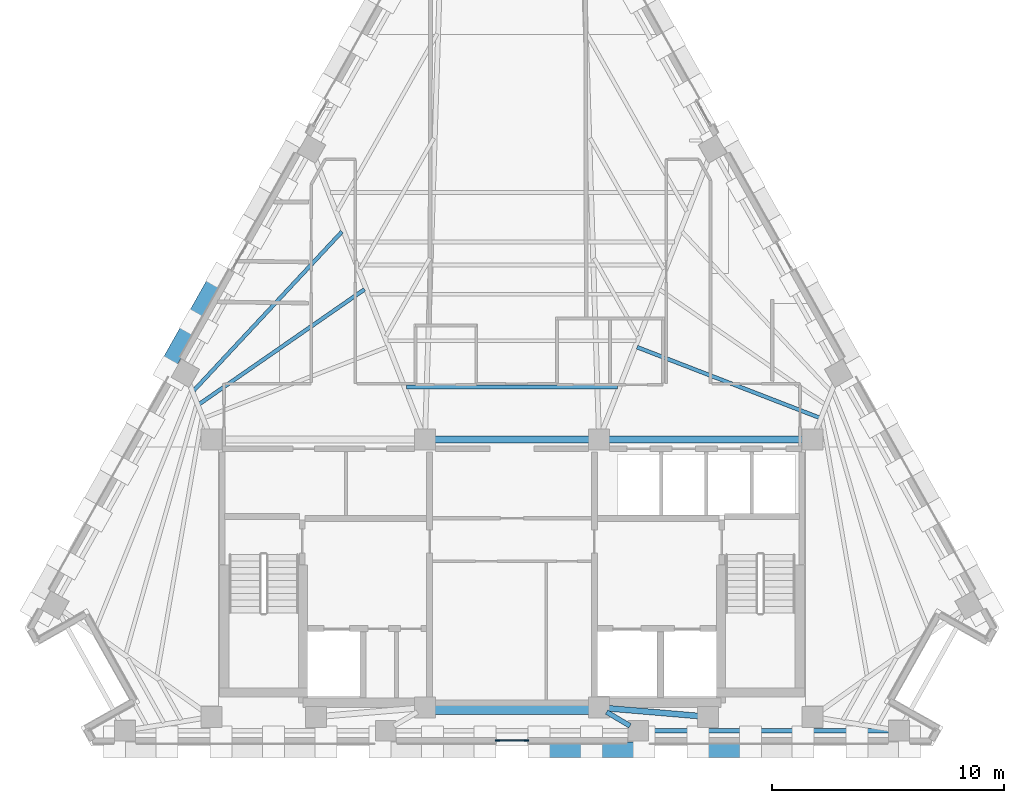
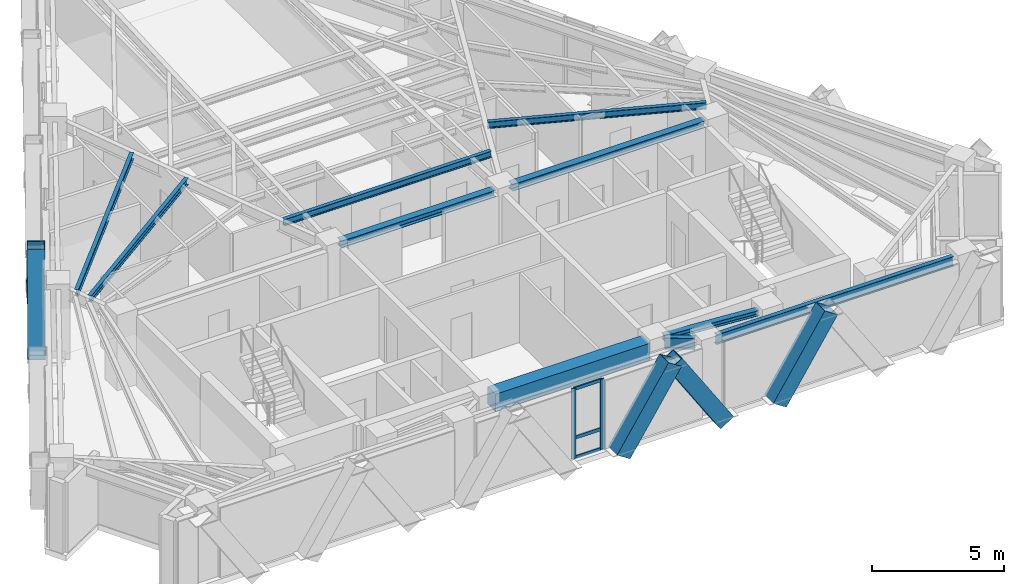
# One storey, part 2 of 12: 10 beams, 10 members, 1 element without a shape of its own.
"""IFC4 building model written with IfcOpenShell, lengths in metres."""

import ifcopenshell
import ifcopenshell.guid

model = None  # the IFC model being written
_history = None  # IfcOwnerHistory: only IFC2X3 demands one
_inside = {}  # id of a spatial element -> (the spatial element, [elements in it])
_under = {}  # id of a project, library or spatial element -> (it, [spatial elements below it])
_declared = {}  # id of a project -> (the project, [libraries it declares])
_typed = {}  # id of a type object -> (the type object, [elements of that type])
_made_of = {}  # id of a material, layer set ... -> (it, [elements and type objects made of it])


def new_model(schema):
    """Start an empty IFC model of exactly this schema.

    Asked for "IFC4X3", IfcOpenShell would pick the latest addendum, in which some entities
    have other attributes; the version numbers below select the first issue.
    IFC2X3 requires an IfcOwnerHistory on every rooted entity: one is made here for all.
    """
    global model, _history
    if schema == "IFC4X3":
        model = ifcopenshell.file(schema_version=(4, 3, 0, 0))
    else:
        model = ifcopenshell.file(schema=schema)
    _inside.clear()
    _under.clear()
    _declared.clear()
    _typed.clear()
    _made_of.clear()
    _history = None
    if model.schema == "IFC2X3":
        org = make("IfcOrganization", Name="unknown")
        user = make(
            "IfcPersonAndOrganization",
            ThePerson=make("IfcPerson", FamilyName="unknown"),
            TheOrganization=org,
        )
        app = make(
            "IfcApplication",
            ApplicationDeveloper=org,
            Version="unknown",
            ApplicationFullName="unknown",
            ApplicationIdentifier="unknown",
        )
        _history = make(
            "IfcOwnerHistory",
            OwningUser=user,
            OwningApplication=app,
            ChangeAction="ADDED",
            CreationDate=0,
        )
    return model


def make(cls, **values):
    """One entity of the class cls with the attributes given. An attribute that is None is left unset."""
    return model.create_entity(
        cls, **{name: value for name, value in values.items() if value is not None}
    )


def rooted(cls, **values):
    """An entity with a GlobalId (a new one), such as an element, a storey or a relation."""
    return make(cls, GlobalId=ifcopenshell.guid.new(), OwnerHistory=_history, **values)


def si_unit(unit_type, name, prefix=None):
    """IfcSIUnit, for example si_unit("LENGTHUNIT", "METRE", prefix="MILLI")."""
    return make("IfcSIUnit", UnitType=unit_type, Prefix=prefix, Name=name)


def assignment(units):
    """IfcUnitAssignment: the units of a project."""
    return None if units is None else make("IfcUnitAssignment", Units=units)


def point(xyz):
    """IfcCartesianPoint."""
    return None if xyz is None else make("IfcCartesianPoint", Coordinates=xyz)


def direction(xyz):
    """IfcDirection."""
    return None if xyz is None else make("IfcDirection", DirectionRatios=xyz)


def frame(location, z_axis=None, x_axis=None):
    """IfcAxis2Placement3D, a coordinate frame: its origin and axes. An axis left out is left unset."""
    return make(
        "IfcAxis2Placement3D",
        Location=point(location),
        Axis=direction(z_axis),
        RefDirection=direction(x_axis),
    )


def frame_2d(location, x_axis=None):
    """IfcAxis2Placement2D, a coordinate frame in the plane: its origin and x axis."""
    return make(
        "IfcAxis2Placement2D", Location=point(location), RefDirection=direction(x_axis)
    )


def origin():
    """The frame at (0, 0, 0) with its axes left unset."""
    return frame((0.0, 0.0, 0.0))


def origin_2d():
    """The frame at (0, 0) in the plane with its x axis left unset."""
    return frame_2d((0.0, 0.0))


def place(relative_to, where):
    """IfcLocalPlacement: puts the frame where relative to a parent placement (None: the world)."""
    return make(
        "IfcLocalPlacement", PlacementRelTo=relative_to, RelativePlacement=where
    )


def context(
    kind, dimensions, precision=None, world=None, true_north=None, identifier=None
):
    """IfcGeometricRepresentationContext, for example the 3D "Model" context."""
    return make(
        "IfcGeometricRepresentationContext",
        ContextIdentifier=identifier,
        ContextType=kind,
        CoordinateSpaceDimension=dimensions,
        Precision=precision,
        WorldCoordinateSystem=world,
        TrueNorth=true_north,
    )


def subcontext(parent, identifier, kind, view, scale=None):
    """IfcGeometricRepresentationSubContext, for example "Body" below "Model"."""
    return make(
        "IfcGeometricRepresentationSubContext",
        ContextIdentifier=identifier,
        ContextType=kind,
        ParentContext=parent,
        TargetScale=scale,
        TargetView=view,
    )


def project(units=None, contexts=None):
    """IfcProject with its units and contexts."""
    return rooted(
        "IfcProject",
        Name="project",
        RepresentationContexts=contexts,
        UnitsInContext=assignment(units),
    )


def spatial(cls, under=None, at=None, **own):
    """A site, building, storey or space (cls), placed at a placement, below another one or the project."""
    s = rooted(cls, ObjectPlacement=at, **own)
    if under is not None:
        _under.setdefault(under.id(), (under, []))[1].append(s)
    return s


def profile(cls, at=None, kind="AREA", **sizes):
    """A parametric profile (cls). Its sizes go by their IFC names, for example OverallWidth=200.0."""
    return make(cls, ProfileType=kind, Position=at, **sizes)


def rectangle(**sizes):
    """IfcRectangleProfileDef."""
    return profile("IfcRectangleProfileDef", **sizes)


def hollow_rectangle(**sizes):
    """IfcRectangleHollowProfileDef."""
    return profile("IfcRectangleHollowProfileDef", **sizes)


def i_section(**sizes):
    """IfcIShapeProfileDef."""
    return profile("IfcIShapeProfileDef", **sizes)


def extrude(swept, where, along, depth):
    """IfcExtrudedAreaSolid: the profile swept, set in the frame where, extruded along a direction by depth."""
    return make(
        "IfcExtrudedAreaSolid",
        SweptArea=swept,
        Position=where,
        ExtrudedDirection=direction(along),
        Depth=depth,
    )


def shape(context_of_items, identifier, shape_type, items):
    """IfcShapeRepresentation: the items that make up one representation, for example the "Body"."""
    return make(
        "IfcShapeRepresentation",
        ContextOfItems=context_of_items,
        RepresentationIdentifier=identifier,
        RepresentationType=shape_type,
        Items=items,
    )


def material(Name=None, Category=None):
    """IfcMaterial."""
    return make("IfcMaterial", Name=Name, Category=Category)


def material_profile(
    of_material, cross_section, Name=None, Category=None, Priority=None
):
    """IfcMaterialProfile: a cross section and its material."""
    return make(
        "IfcMaterialProfile",
        Name=Name,
        Material=of_material,
        Profile=cross_section,
        Priority=Priority,
        Category=Category,
    )


def profile_set(profiles, Name=None, composite=None):
    """IfcMaterialProfileSet."""
    return make(
        "IfcMaterialProfileSet",
        Name=Name,
        MaterialProfiles=profiles,
        CompositeProfile=composite,
    )


def made_of(thing, what):
    """Note that an element or type object is made of a material, layer set ...; save() writes the relation."""
    if what is not None:
        _made_of.setdefault(what.id(), (what, []))[1].append(thing)
    return thing


def type_object(cls, material=None, **own):
    """A type object (cls), such as IfcWallType, which elements share."""
    return made_of(rooted(cls, **own), material)


def element(
    cls,
    number,
    at=None,
    inside=None,
    cuts=None,
    type_object=None,
    material=None,
    context=None,
    identifier="Body",
    shape_type=None,
    held_by="IfcProductDefinitionShape",
    body=None,
    shapes=None,
    **own,
):
    """One element of the class cls, such as IfcWall. Its Tag is "e" and its number.

    at: its placement. inside: the storey or other place that contains it. cuts: it is an
    opening in that element (IfcRelVoidsElement). A single representation is given by context,
    identifier, shape_type and body (its items); several are given by shapes. held_by: the class
    of the entity that holds the representations. save() writes the other relations.
    """
    e = rooted(cls, Tag="e%d" % number, ObjectPlacement=at, **own)
    if body is not None:
        shapes = [shape(context, identifier, shape_type, body)]
    if shapes is not None:
        e.Representation = make(held_by, Representations=shapes)
    if inside is not None:
        _inside.setdefault(inside.id(), (inside, []))[1].append(e)
    if cuts is not None:
        rooted(
            "IfcRelVoidsElement", RelatingBuildingElement=cuts, RelatedOpeningElement=e
        )
    if type_object is not None:
        _typed.setdefault(type_object.id(), (type_object, []))[1].append(e)
    return made_of(e, material)


def aggregate(whole, parts):
    """IfcRelAggregates: a whole, such as a stair, and the parts it consists of."""
    return rooted("IfcRelAggregates", RelatingObject=whole, RelatedObjects=parts)


def save(model, path):
    """Write the relations noted so far, then the file.

    IfcRelAggregates (storeys below a building ...), IfcRelContainedInSpatialStructure (elements
    in a storey), IfcRelDefinesByType, IfcRelAssociatesMaterial and IfcRelDeclares: one each for
    every whole, place, type object, material and project.
    """
    for whole, parts in _under.values():
        aggregate(whole, parts)
    for where, things in _inside.values():
        rooted(
            "IfcRelContainedInSpatialStructure",
            RelatedElements=things,
            RelatingStructure=where,
        )
    for kind, things in _typed.values():
        rooted("IfcRelDefinesByType", RelatedObjects=things, RelatingType=kind)
    for what, things in _made_of.values():
        rooted("IfcRelAssociatesMaterial", RelatedObjects=things, RelatingMaterial=what)
    for by, libraries in _declared.values():
        rooted("IfcRelDeclares", RelatingContext=by, RelatedDefinitions=libraries)
    model.write(path)


model = new_model("IFC4")

# Units and contexts
model_context = context("Model", 3, precision=1e-05, world=origin(), true_north=direction((0.0, 1.0)))
body_context = subcontext(model_context, "Body", "Model", "MODEL_VIEW")
ifc_project = project(units=[si_unit("LENGTHUNIT", "METRE"), si_unit("AREAUNIT", "SQUARE_METRE"), si_unit("VOLUMEUNIT", "CUBIC_METRE"), si_unit("PLANEANGLEUNIT", "RADIAN"), si_unit("MASSUNIT", "GRAM", prefix="KILO")], contexts=[model_context])

# Site, building, storey
site_placement = place(None, origin())
site = spatial("IfcSite", under=ifc_project, at=site_placement, CompositionType="ELEMENT")
building_placement = place(site_placement, origin())
building = spatial("IfcBuilding", under=site, at=building_placement, Name="Quenlor Broadcast Tower", CompositionType="ELEMENT")
storey_placement = place(building_placement, frame((0.0, 0.0, 197.39990234375)))
storey = spatial("IfcBuildingStorey", under=building, at=storey_placement, Name="L54", CompositionType="ELEMENT", Elevation=197.39990234375)

# Curtain wall, members
ifc_material_1 = material(Name="Architectural Terracotta and Low-E Glazing", Category="masonry")
curtain_wall_type = type_object("IfcCurtainWallType", Name="Unitised Terracotta Curtain Wall System Z4", PredefinedType="NOTDEFINED", material=ifc_material_1)
curtain_wall_placement = place(storey_placement, origin())
curtain_wall = element("IfcCurtainWall", 1, at=curtain_wall_placement, inside=storey, type_object=curtain_wall_type, Name="L54 Curtain Wall CW4 (L54-S-G1)", PredefinedType="NOTDEFINED")
ifc_material_2 = material(Name="Aluminium 6063-T6", Category="aluminium")
ifc_material_profile_1 = material_profile(ifc_material_2, rectangle(XDim=0.068115234375, YDim=0.179931640625, at=origin_2d()))
ifc_profile_set_1 = profile_set([ifc_material_profile_1], Name="Aluminium 6063-T6 MULL68x180")
member_type_1 = type_object("IfcMemberType", Name="CW4 Aluminium Mullion MULL_CW4", PredefinedType="MULLION", material=ifc_profile_set_1)
member_1_placement = place(storey_placement, frame((0.62841796875, -17.77490234375, 0.0), z_axis=(0.0, 0.0, 1.0), x_axis=(0.0, -1.0, 0.0)))
member_1 = element("IfcMember", 2, at=member_1_placement, type_object=member_type_1, Name="CW4 mullion 1", PredefinedType="MULLION", context=body_context, shape_type="SweptSolid", body=[
    extrude(rectangle(XDim=0.068115234375, YDim=0.179931640625, at=origin_2d()), origin(), (0.0, 0.0, 1.0), 3.25),
])
member_2_placement = place(storey_placement, frame((-0.62841796875, -17.77490234375, 0.0), z_axis=(0.0, 0.0, 1.0), x_axis=(0.0, -1.0, 0.0)))
member_2 = element("IfcMember", 3, at=member_2_placement, type_object=member_type_1, Name="CW4 mullion 2", PredefinedType="MULLION", context=body_context, shape_type="SweptSolid", body=[
    extrude(rectangle(XDim=0.068115234375, YDim=0.179931640625, at=origin_2d()), origin(), (0.0, 0.0, 1.0), 3.25),
])
ifc_material_3 = material(Name="Aluminium 6063-T6", Category="aluminium")
ifc_material_profile_2 = material_profile(ifc_material_3, rectangle(XDim=0.068115234375, YDim=0.14990234375, at=origin_2d()))
ifc_profile_set_2 = profile_set([ifc_material_profile_2], Name="Aluminium 6063-T6 TRAN68x150")
member_type_2 = type_object("IfcMemberType", Name="CW4 Aluminium Transom TRAN_CW4", PredefinedType="USERDEFINED", material=ifc_profile_set_2)
member_3_placement = place(storey_placement, frame((0.59423828125, -17.77490234375, 0.0341796875), z_axis=(-1.0, 0.0, 0.0), x_axis=(0.0, -1.0, 0.0)))
member_3 = element("IfcMember", 4, at=member_3_placement, type_object=member_type_2, Name="CW4 transom 1.1", ObjectType="TRANSOM", PredefinedType="USERDEFINED", context=body_context, shape_type="SweptSolid", body=[
    extrude(rectangle(XDim=0.068115234375, YDim=0.14990234375, at=origin_2d()), origin(), (0.0, 0.0, 1.0), 1.1884765625),
])
member_4_placement = place(storey_placement, frame((0.59423828125, -17.77490234375, 0.9501953125), z_axis=(-1.0, 0.0, 0.0), x_axis=(0.0, -1.0, 0.0)))
member_4 = element("IfcMember", 5, at=member_4_placement, type_object=member_type_2, Name="CW4 transom 1.2", ObjectType="TRANSOM", PredefinedType="USERDEFINED", context=body_context, shape_type="SweptSolid", body=[
    extrude(rectangle(XDim=0.068115234375, YDim=0.14990234375, at=origin_2d()), origin(), (0.0, 0.0, 1.0), 1.1884765625),
])
member_5_placement = place(storey_placement, frame((0.59423828125, -17.77490234375, 3.216064453125), z_axis=(-1.0, 0.0, 0.0), x_axis=(0.0, -1.0, 0.0)))
member_5 = element("IfcMember", 6, at=member_5_placement, type_object=member_type_2, Name="CW4 transom 1.3", ObjectType="TRANSOM", PredefinedType="USERDEFINED", context=body_context, shape_type="SweptSolid", body=[
    extrude(rectangle(XDim=0.068115234375, YDim=0.14990234375, at=origin_2d()), origin(), (0.0, 0.0, 1.0), 1.1884765625),
])
aggregate(curtain_wall, [member_1, member_2, member_3, member_4, member_5])

# Beams
ifc_material_4 = material(Name="Concrete C50/60", Category="concrete")
ifc_material_profile_3 = material_profile(ifc_material_4, rectangle(XDim=0.60009765625, YDim=0.800048828125, at=origin_2d()))
ifc_profile_set_3 = profile_set([ifc_material_profile_3], Name="Concrete C50/60 RCB600x800")
beam_type_1 = type_object("IfcBeamType", Name="Core Coupling Beam Concrete C50/60 600x800", PredefinedType="BEAM", material=ifc_profile_set_3)
beam_1_placement = place(storey_placement, frame((-3.389892578125, -16.35009765625, 2.85009765625), z_axis=(1.0, 0.0, 0.0), x_axis=(0.0, 1.0, 0.0)))
element("IfcBeam", 7, at=beam_1_placement, inside=storey, type_object=beam_type_1, Name="L54 Core Coupling Beam 6", PredefinedType="BEAM", context=body_context, shape_type="SweptSolid", body=[
    extrude(rectangle(XDim=0.60009765625, YDim=0.800048828125, at=origin_2d()), origin(), (0.0, 0.0, 1.0), 6.77978515625),
])
ifc_material_5 = material(Name="Steel S355", Category="steel")
ifc_material_profile_4 = material_profile(ifc_material_5, i_section(OverallWidth=0.304931640625, OverallDepth=0.30810546875, WebThickness=0.010009765625, FlangeThickness=0.015380859375, FilletRadius=0.0166015625, at=origin_2d()))
ifc_profile_set_4 = profile_set([ifc_material_profile_4], Name="Steel S355 310UC96.8")
beam_type_2 = type_object("IfcBeamType", Name="Core Header Beam Steel S355 310UC96.8", PredefinedType="BEAM", material=ifc_profile_set_4)
beam_2_placement = place(storey_placement, frame((-3.389892578125, -4.800048828125, 3.09619140625), z_axis=(1.0, 0.0, 0.0), x_axis=(0.0, 1.0, 0.0)))
element("IfcBeam", 8, at=beam_2_placement, inside=storey, type_object=beam_type_2, Name="L54 Core Header Beam 2", PredefinedType="BEAM", context=body_context, shape_type="SweptSolid", body=[
    extrude(i_section(OverallWidth=0.304931640625, OverallDepth=0.30810546875, WebThickness=0.010009765625, FlangeThickness=0.015380859375, FilletRadius=0.0166015625, at=origin_2d()), origin(), (0.0, 0.0, 1.0), 6.77978515625),
])
ifc_material_6 = material(Name="Steel S355", Category="steel")
ifc_material_profile_5 = material_profile(ifc_material_6, i_section(OverallWidth=0.25390625, OverallDepth=0.25390625, WebThickness=0.008544921875, FlangeThickness=0.01416015625, FilletRadius=0.013916015625, at=origin_2d()))
ifc_profile_set_5 = profile_set([ifc_material_profile_5], Name="Steel S355 250UC72.9")
beam_type_3 = type_object("IfcBeamType", Name="Core Opening Lintel Beam Steel S355 250UC72.9", PredefinedType="LINTEL", material=ifc_profile_set_5)
beam_3_placement = place(storey_placement, frame((4.108642578125, -16.380615234375, 3.123291015625), z_axis=(0.996399763903, -0.084779186679, 0.0), x_axis=(0.084779186679, 0.996399763903, 0.0)))
element("IfcBeam", 9, at=beam_3_placement, inside=storey, type_object=beam_type_3, Name="L54 Core Opening Lintel Beam 5", PredefinedType="LINTEL", context=body_context, shape_type="SweptSolid", body=[
    extrude(i_section(OverallWidth=0.25390625, OverallDepth=0.25390625, WebThickness=0.008544921875, FlangeThickness=0.01416015625, FilletRadius=0.013916015625, at=origin_2d()), origin(), (0.0, 0.0, 1.0), 3.9970703125),
])
ifc_material_7 = material(Name="Steel S355", Category="steel")
ifc_material_profile_6 = material_profile(ifc_material_7, i_section(OverallWidth=0.306884765625, OverallDepth=0.314697265625, WebThickness=0.011962890625, FlangeThickness=0.018798828125, FilletRadius=0.0166015625, at=origin_2d()))
ifc_profile_set_6 = profile_set([ifc_material_profile_6], Name="Steel S355 310UC118")
beam_type_4 = type_object("IfcBeamType", Name="Core Tie Beam Steel S355 310UC118", PredefinedType="BEAM", material=ifc_profile_set_6)
beam_4_placement = place(storey_placement, frame((4.110107421875, -4.800048828125, 3.0927734375), z_axis=(1.0, 0.0, 0.0), x_axis=(0.0, 1.0, 0.0)))
element("IfcBeam", 10, at=beam_4_placement, inside=storey, type_object=beam_type_4, Name="L54 Core Tie Beam 3", PredefinedType="BEAM", context=body_context, shape_type="SweptSolid", body=[
    extrude(i_section(OverallWidth=0.306884765625, OverallDepth=0.314697265625, WebThickness=0.011962890625, FlangeThickness=0.018798828125, FilletRadius=0.0166015625, at=origin_2d()), origin(), (0.0, 0.0, 1.0), 8.47998046875),
])

# Members
ifc_material_8 = material(Name="Steel S355", Category="steel")
ifc_material_profile_7 = material_profile(ifc_material_8, hollow_rectangle(XDim=0.679931640625, YDim=0.679931640625, WallThickness=0.02490234375, at=origin_2d()))
ifc_profile_set_7 = profile_set([ifc_material_profile_7], Name="Steel S355 RHS680x680x25")
member_type_3 = type_object("IfcMemberType", Name="Perimeter Diagonal Lattice Brace Z3-Z4 Steel S355 RHS680x25", PredefinedType="BRACE", material=ifc_profile_set_7)
for number, where, z_axis, x_axis, name in (
    (11, (5.695068359375, -18.169921875, -0.119873046875), (-0.541794306908, 0.0, 0.840511111766), (0.0, -1.0, 0.0), "L54 Perimeter Diamond Lattice S-C2S"),
    (12, (8.005859375, -18.169921875, -0.119873046875), (0.541794306908, 0.0, 0.840511111766), (0.0, 1.0, 0.0), "L54 Perimeter Diamond Lattice S-C2B"),
    (13, (1.155517578125, -18.169921875, -0.119873046875), (0.541794306908, 0.0, 0.840511111766), (0.0, 1.0, 0.0), "L54 Perimeter Diamond Lattice S-C3B"),
):
    element("IfcMember", number, at=place(storey_placement, frame(where, z_axis=z_axis, x_axis=x_axis)), inside=storey, type_object=member_type_3, Name=name, PredefinedType="BRACE", context=body_context, shape_type="SweptSolid", body=[
        extrude(hollow_rectangle(XDim=0.679931640625, YDim=0.679931640625, WallThickness=0.02490234375, at=origin_2d()), origin(), (0.0, 0.0, 1.0), 4.1640625),
    ])
for number, where, z_axis, x_axis, name in (
    (14, (-14.923828125, -1.78466796875, -0.119873046875), (0.269485495908, 0.479188912076, 0.835317636614), (-0.871620820774, 0.490180726664, 0.0), "L54 Perimeter Diamond Lattice NW-C2S"),
    (15, (-12.651611328125, 2.255126953125, -0.119873046875), (-0.269547055694, -0.479136497832, 0.835327840559), (0.871550060774, -0.49030652817, 0.0), "L54 Perimeter Diamond Lattice NW-C3B"),
):
    element("IfcMember", number, at=place(storey_placement, frame(where, z_axis=z_axis, x_axis=x_axis)), inside=storey, type_object=member_type_3, Name=name, PredefinedType="BRACE", context=body_context, shape_type="SweptSolid", body=[
        extrude(hollow_rectangle(XDim=0.679931640625, YDim=0.679931640625, WallThickness=0.02490234375, at=origin_2d()), origin(), (0.0, 0.0, 1.0), 4.18994140625),
    ])

# Beams
ifc_material_9 = material(Name="Steel S355", Category="steel")
ifc_material_profile_8 = material_profile(ifc_material_9, i_section(OverallWidth=0.18994140625, OverallDepth=0.453857421875, WebThickness=0.008544921875, FlangeThickness=0.0126953125, FilletRadius=0.011474609375, at=origin_2d()))
ifc_profile_set_8 = profile_set([ifc_material_profile_8], Name="Steel S355 460UB67.1")
beam_type_5 = type_object("IfcBeamType", Name="Perimeter Spandrel Beam Z4 Steel S355 460UB67.1", PredefinedType="SPANDREL", material=ifc_profile_set_8)
beam_5_placement = place(storey_placement, frame((5.847900390625, -17.35009765625, 3.023193359375), z_axis=(1.0, 0.0, 0.0), x_axis=(0.0, 1.0, 0.0)))
element("IfcBeam", 16, at=beam_5_placement, inside=storey, type_object=beam_type_5, Name="L54 Spandrel Beam S3-S4", PredefinedType="SPANDREL", context=body_context, shape_type="SweptSolid", body=[
    extrude(i_section(OverallWidth=0.18994140625, OverallDepth=0.453857421875, WebThickness=0.008544921875, FlangeThickness=0.0126953125, FilletRadius=0.011474609375, at=origin_2d()), origin(), (0.0, 0.0, 1.0), 10.41796875),
])
ifc_material_10 = material(Name="Steel S355", Category="steel")
ifc_material_profile_9 = material_profile(ifc_material_10, i_section(OverallWidth=0.166015625, OverallDepth=0.30712890625, WebThickness=0.006591796875, FlangeThickness=0.01171875, FilletRadius=0.011474609375, at=origin_2d()))
ifc_profile_set_9 = profile_set([ifc_material_profile_9], Name="Steel S355 310UB46.2")
beam_type_6 = type_object("IfcBeamType", Name="Tower Composite Joist Z4-Z5 Steel S355 310UB46.2", PredefinedType="JOIST", material=ifc_profile_set_9)
beam_6_placement = place(storey_placement, frame((-4.550048828125, -2.54736328125, 3.096435546875), z_axis=(1.0, 0.0, 0.0), x_axis=(0.0, 1.0, 0.0)))
element("IfcBeam", 17, at=beam_6_placement, inside=storey, type_object=beam_type_6, Name="L54 Secondary Composite Joist 1", PredefinedType="JOIST", context=body_context, shape_type="SweptSolid", body=[
    extrude(i_section(OverallWidth=0.166015625, OverallDepth=0.30712890625, WebThickness=0.006591796875, FlangeThickness=0.01171875, FilletRadius=0.011474609375, at=origin_2d()), origin(), (0.0, 0.0, 1.0), 9.10009765625),
])
beam_7_placement = place(storey_placement, frame((-13.470458984375, -3.273681640625, 3.096435546875), z_axis=(0.821539857981, 0.570151086773, 0.0), x_axis=(-0.570151086773, 0.821539857981, 0.0)))
element("IfcBeam", 18, at=beam_7_placement, inside=storey, type_object=beam_type_6, Name="L54 Secondary Composite Joist 8", PredefinedType="JOIST", context=body_context, shape_type="SweptSolid", body=[
    extrude(i_section(OverallWidth=0.166015625, OverallDepth=0.30712890625, WebThickness=0.006591796875, FlangeThickness=0.01171875, FilletRadius=0.011474609375, at=origin_2d()), origin(), (0.0, 0.0, 1.0), 8.656982421875),
])
beam_8_placement = place(storey_placement, frame((-13.707275390625, -2.691162109375, 3.096435546875), z_axis=(0.682034672805, 0.731319837754, 0.0), x_axis=(-0.731319837754, 0.682034672805, 0.0)))
element("IfcBeam", 19, at=beam_8_placement, inside=storey, type_object=beam_type_6, Name="L54 Secondary Composite Joist 9", PredefinedType="JOIST", context=body_context, shape_type="SweptSolid", body=[
    extrude(i_section(OverallWidth=0.166015625, OverallDepth=0.30712890625, WebThickness=0.006591796875, FlangeThickness=0.01171875, FilletRadius=0.011474609375, at=origin_2d()), origin(), (0.0, 0.0, 1.0), 9.357421875),
])
beam_9_placement = place(storey_placement, frame((13.236083984375, -3.85986328125, 3.096435546875), z_axis=(-0.932639299023, 0.360810113381, 0.0), x_axis=(-0.360810113381, -0.932639299023, 0.0)))
element("IfcBeam", 20, at=beam_9_placement, inside=storey, type_object=beam_type_6, Name="L54 Secondary Composite Joist 10", PredefinedType="JOIST", context=body_context, shape_type="SweptSolid", body=[
    extrude(i_section(OverallWidth=0.166015625, OverallDepth=0.30712890625, WebThickness=0.006591796875, FlangeThickness=0.01171875, FilletRadius=0.011474609375, at=origin_2d()), origin(), (0.0, 0.0, 1.0), 8.413330078125),
])
ifc_material_11 = material(Name="Steel S355", Category="steel")
ifc_material_profile_10 = material_profile(ifc_material_11, i_section(OverallWidth=0.208984375, OverallDepth=0.5283203125, WebThickness=0.009521484375, FlangeThickness=0.01318359375, FilletRadius=0.013916015625, at=origin_2d()))
ifc_profile_set_10 = profile_set([ifc_material_profile_10], Name="Steel S355 530UB82.0")
beam_type_7 = type_object("IfcBeamType", Name="Tower Primary Floor Beam Z4 Steel S355 530UB82.0", PredefinedType="BEAM", material=ifc_profile_set_10)
beam_10_placement = place(storey_placement, frame((5.085205078125, -17.14111328125, 2.986083984375), z_axis=(-0.86032875258, 0.509739578102, 0.0), x_axis=(-0.509739578102, -0.86032875258, 0.0)))
element("IfcBeam", 21, at=beam_10_placement, inside=storey, type_object=beam_type_7, Name="L54 Primary Radial Beam S3", PredefinedType="BEAM", context=body_context, shape_type="SweptSolid", body=[
    extrude(i_section(OverallWidth=0.208984375, OverallDepth=0.5283203125, WebThickness=0.009521484375, FlangeThickness=0.01318359375, FilletRadius=0.013916015625, at=origin_2d()), origin(), (0.0, 0.0, 1.0), 1.171875),
])

save(model, "model.ifc")
